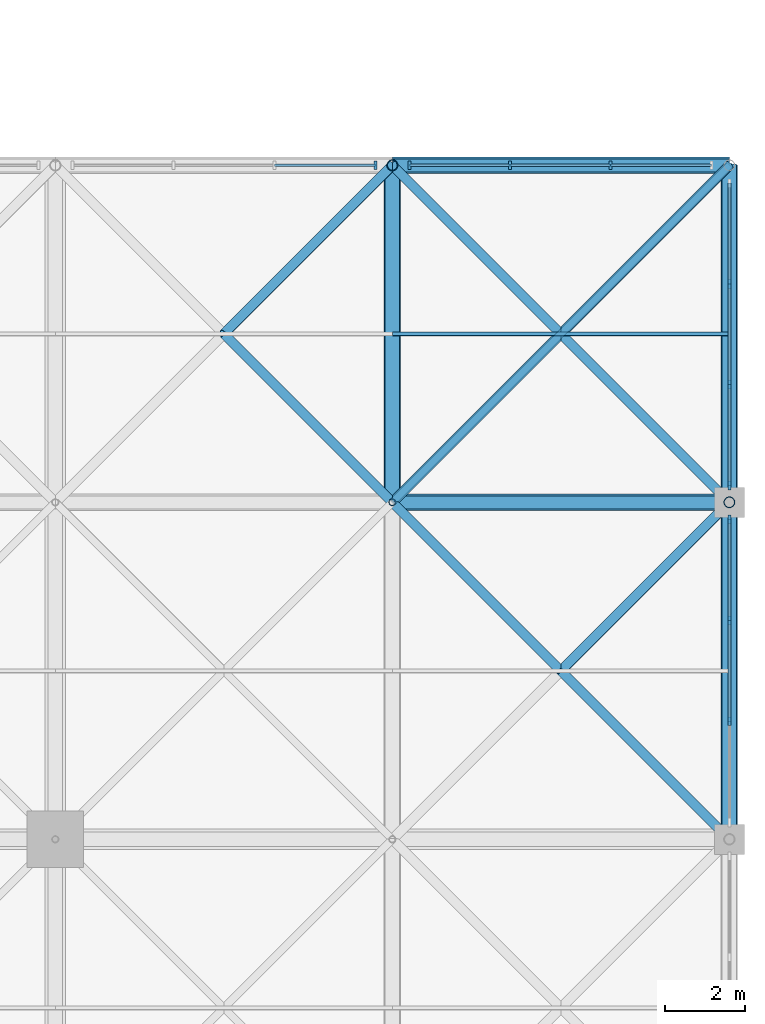
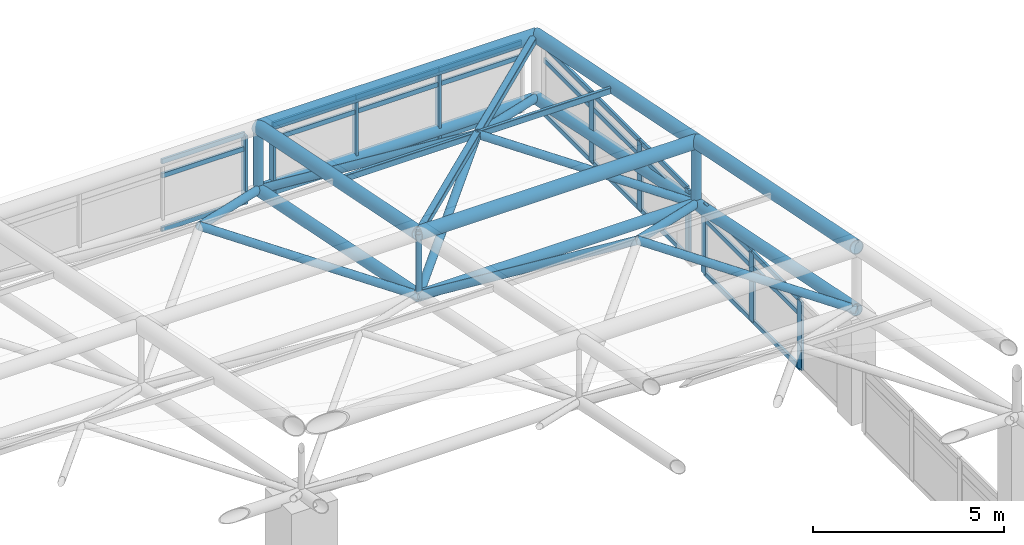
# One storey, part 67 of 110: 61 members, 4 elements without a shape of their own.
"""IFC4 building model written with IfcOpenShell, lengths in metres."""

from ifc_helpers import new_model, si_unit, direction, frame, origin, origin_2d, place, context, subcontext, project, spatial, rectangle, hollow_rectangle, hollow_circle, extrude, material, layer, layer_set, material_profile, profile_set, type_object, element, aggregate, save


model = new_model("IFC4")

# Units and contexts
model_context = context("Model", 3, precision=1e-05, world=origin(), true_north=direction((0.0, 1.0)))
body_context = subcontext(model_context, "Body", "Model", "MODEL_VIEW")
ifc_project = project(units=[si_unit("LENGTHUNIT", "METRE"), si_unit("AREAUNIT", "SQUARE_METRE"), si_unit("VOLUMEUNIT", "CUBIC_METRE"), si_unit("PLANEANGLEUNIT", "RADIAN"), si_unit("MASSUNIT", "GRAM", prefix="KILO")], contexts=[model_context])

# Site, building, storey
site_placement = place(None, origin())
site = spatial("IfcSite", under=ifc_project, at=site_placement, CompositionType="ELEMENT")
building_placement = place(site_placement, origin())
building = spatial("IfcBuilding", under=site, at=building_placement, Name="Qawsi Khor Wholesale Market", CompositionType="ELEMENT")
storey_placement = place(building_placement, frame((0.0, 0.0, 11.39990234375)))
storey = spatial("IfcBuildingStorey", under=building, at=storey_placement, Name="L02", CompositionType="ELEMENT", Elevation=11.39990234375)

# Curtain wall, members
ifc_material_1 = material(Name="Aluminium Anodised Bronze", Category="aluminium")
ifc_layer = layer(ifc_material_1, 0.199951171875, Name="Aluminium Anodised Bronze")
ifc_layer_set = layer_set([ifc_layer], Name="Aluminium Anodised Bronze")
curtain_wall_type = type_object("IfcCurtainWallType", Name="Trading Hall North-Light Curtain Wall CW-03", PredefinedType="NOTDEFINED", material=ifc_layer_set)
curtain_wall_1_placement = place(storey_placement, origin())
curtain_wall_1 = element("IfcCurtainWall", 1, at=curtain_wall_1_placement, inside=storey, type_object=curtain_wall_type, Name="Curtain wall CW-CW-03-L02-142", PredefinedType="NOTDEFINED")
ifc_material_profile_1 = material_profile(ifc_material_1, rectangle(XDim=0.074951171875, YDim=0.219970703125, at=origin_2d()), Name="ALU MULLION 75x220")
ifc_profile_set_1 = profile_set([ifc_material_profile_1], Name="Aluminium Anodised Bronze")
member_type_1 = type_object("IfcMemberType", Name="Curtain Wall Mullion CW-03 ALU MULLION 75x220", PredefinedType="MULLION", material=ifc_profile_set_1)
member_1_placement = place(storey_placement, frame((218.39990234375, 95.3408203125, -0.289794921875), z_axis=(0.0, 0.0, 1.0), x_axis=(1.0, 0.0, 0.0)))
member_1 = element("IfcMember", 2, at=member_1_placement, type_object=member_type_1, Name="Mullion CW-CW-03-L02-142-M01", PredefinedType="MULLION", context=body_context, shape_type="SweptSolid", body=[
    extrude(rectangle(XDim=0.074951171875, YDim=0.219970703125, at=origin_2d()), origin(), (0.0, 0.0, 1.0), 2.18994140625),
])
member_2_placement = place(storey_placement, frame((218.39990234375, 97.859130859375, -0.289794921875), z_axis=(0.0, 0.0, 1.0), x_axis=(1.0, 0.0, 0.0)))
member_2 = element("IfcMember", 3, at=member_2_placement, type_object=member_type_1, Name="Mullion CW-CW-03-L02-142-M02", PredefinedType="MULLION", context=body_context, shape_type="SweptSolid", body=[
    extrude(rectangle(XDim=0.074951171875, YDim=0.219970703125, at=origin_2d()), origin(), (0.0, 0.0, 1.0), 2.18994140625),
])
member_3_placement = place(storey_placement, frame((218.39990234375, 100.37744140625, -0.289794921875), z_axis=(0.0, 0.0, 1.0), x_axis=(1.0, 0.0, 0.0)))
member_3 = element("IfcMember", 4, at=member_3_placement, type_object=member_type_1, Name="Mullion CW-CW-03-L02-142-M03", PredefinedType="MULLION", context=body_context, shape_type="SweptSolid", body=[
    extrude(rectangle(XDim=0.074951171875, YDim=0.219970703125, at=origin_2d()), origin(), (0.0, 0.0, 1.0), 2.18994140625),
])

curtain_wall_2_placement = place(storey_placement, origin())
curtain_wall_2 = element("IfcCurtainWall", 5, at=curtain_wall_2_placement, inside=storey, type_object=curtain_wall_type, Name="Curtain wall CW-CW-03-L02-144", PredefinedType="NOTDEFINED")
member_4_placement = place(storey_placement, frame((218.39990234375, 101.222412109375, -0.289794921875), z_axis=(0.0, 0.0, 1.0), x_axis=(1.0, 0.0, 0.0)))
member_4 = element("IfcMember", 6, at=member_4_placement, type_object=member_type_1, Name="Mullion CW-CW-03-L02-144-M00", PredefinedType="MULLION", context=body_context, shape_type="SweptSolid", body=[
    extrude(rectangle(XDim=0.074951171875, YDim=0.219970703125, at=origin_2d()), origin(), (0.0, 0.0, 1.0), 2.18994140625),
])
member_5_placement = place(storey_placement, frame((218.39990234375, 103.732421875, -0.289794921875), z_axis=(0.0, 0.0, 1.0), x_axis=(1.0, 0.0, 0.0)))
member_5 = element("IfcMember", 7, at=member_5_placement, type_object=member_type_1, Name="Mullion CW-CW-03-L02-144-M01", PredefinedType="MULLION", context=body_context, shape_type="SweptSolid", body=[
    extrude(rectangle(XDim=0.074951171875, YDim=0.219970703125, at=origin_2d()), origin(), (0.0, 0.0, 1.0), 2.18994140625),
])
member_6_placement = place(storey_placement, frame((218.39990234375, 106.242431640625, -0.289794921875), z_axis=(0.0, 0.0, 1.0), x_axis=(1.0, 0.0, 0.0)))
member_6 = element("IfcMember", 8, at=member_6_placement, type_object=member_type_1, Name="Mullion CW-CW-03-L02-144-M02", PredefinedType="MULLION", context=body_context, shape_type="SweptSolid", body=[
    extrude(rectangle(XDim=0.074951171875, YDim=0.219970703125, at=origin_2d()), origin(), (0.0, 0.0, 1.0), 2.18994140625),
])

# Curtain wall, member
curtain_wall_3_placement = place(storey_placement, origin())
curtain_wall_3 = element("IfcCurtainWall", 9, at=curtain_wall_3_placement, inside=storey, type_object=curtain_wall_type, Name="Curtain wall CW-CW-03-L02-152", PredefinedType="NOTDEFINED")
member_7_placement = place(storey_placement, frame((209.577392578125, 109.199951171875, -0.289794921875), z_axis=(0.0, 0.0, 1.0), x_axis=(1.0, 0.0, 0.0)))
member_7 = element("IfcMember", 10, at=member_7_placement, type_object=member_type_1, Name="Mullion CW-CW-03-L02-152-M03", PredefinedType="MULLION", context=body_context, shape_type="SweptSolid", body=[
    extrude(rectangle(XDim=0.074951171875, YDim=0.219970703125, at=origin_2d()), origin(), (0.0, 0.0, 1.0), 2.18994140625),
])

# Curtain wall, members
curtain_wall_4_placement = place(storey_placement, origin())
curtain_wall_4 = element("IfcCurtainWall", 11, at=curtain_wall_4_placement, inside=storey, type_object=curtain_wall_type, Name="Curtain wall CW-CW-03-L02-153", PredefinedType="NOTDEFINED")
member_8_placement = place(storey_placement, frame((210.422607421875, 109.199951171875, -0.289794921875), z_axis=(0.0, 0.0, 1.0), x_axis=(1.0, 0.0, 0.0)))
member_8 = element("IfcMember", 12, at=member_8_placement, type_object=member_type_1, Name="Mullion CW-CW-03-L02-153-M00", PredefinedType="MULLION", context=body_context, shape_type="SweptSolid", body=[
    extrude(rectangle(XDim=0.074951171875, YDim=0.219970703125, at=origin_2d()), origin(), (0.0, 0.0, 1.0), 2.18994140625),
])
member_9_placement = place(storey_placement, frame((212.9326171875, 109.199951171875, -0.289794921875), z_axis=(0.0, 0.0, 1.0), x_axis=(1.0, 0.0, 0.0)))
member_9 = element("IfcMember", 13, at=member_9_placement, type_object=member_type_1, Name="Mullion CW-CW-03-L02-153-M01", PredefinedType="MULLION", context=body_context, shape_type="SweptSolid", body=[
    extrude(rectangle(XDim=0.074951171875, YDim=0.219970703125, at=origin_2d()), origin(), (0.0, 0.0, 1.0), 2.18994140625),
])
member_10_placement = place(storey_placement, frame((215.4423828125, 109.199951171875, -0.289794921875), z_axis=(0.0, 0.0, 1.0), x_axis=(1.0, 0.0, 0.0)))
member_10 = element("IfcMember", 14, at=member_10_placement, type_object=member_type_1, Name="Mullion CW-CW-03-L02-153-M02", PredefinedType="MULLION", context=body_context, shape_type="SweptSolid", body=[
    extrude(rectangle(XDim=0.074951171875, YDim=0.219970703125, at=origin_2d()), origin(), (0.0, 0.0, 1.0), 2.18994140625),
])

# Member
ifc_material_profile_2 = material_profile(ifc_material_1, rectangle(XDim=0.070068359375, YDim=0.14990234375, at=origin_2d()), Name="ALU TRANSOM 70x150")
ifc_profile_set_2 = profile_set([ifc_material_profile_2], Name="Aluminium Anodised Bronze")
member_type_2 = type_object("IfcMemberType", Name="Curtain Wall Transom CW-03 ALU TRANSOM 70x150", PredefinedType="USERDEFINED", material=ifc_profile_set_2)
member_11_placement = place(storey_placement, frame((218.39990234375, 95.3408203125, -0.27001953125), z_axis=(0.0, 1.0, 0.0), x_axis=(-1.0, 0.0, 0.0)))
member_11 = element("IfcMember", 15, at=member_11_placement, type_object=member_type_2, Name="Transom CW-CW-03-L02-142-T0_01", ObjectType="TRANSOM", PredefinedType="USERDEFINED", context=body_context, shape_type="SweptSolid", body=[
    extrude(rectangle(XDim=0.070068359375, YDim=0.14990234375, at=origin_2d()), origin(), (0.0, 0.0, 1.0), 2.518310546875),
])

member_12_placement = place(storey_placement, frame((218.39990234375, 97.859130859375, -0.27001953125), z_axis=(0.0, 1.0, 0.0), x_axis=(-1.0, 0.0, 0.0)))
member_12 = element("IfcMember", 16, at=member_12_placement, type_object=member_type_2, Name="Transom CW-CW-03-L02-142-T0_02", ObjectType="TRANSOM", PredefinedType="USERDEFINED", context=body_context, shape_type="SweptSolid", body=[
    extrude(rectangle(XDim=0.070068359375, YDim=0.14990234375, at=origin_2d()), origin(), (0.0, 0.0, 1.0), 2.518310546875),
])

member_13_placement = place(storey_placement, frame((218.39990234375, 95.3408203125, 1.4501953125), z_axis=(0.0, 1.0, 0.0), x_axis=(-1.0, 0.0, 0.0)))
member_13 = element("IfcMember", 17, at=member_13_placement, type_object=member_type_2, Name="Transom CW-CW-03-L02-142-T1_01", ObjectType="TRANSOM", PredefinedType="USERDEFINED", context=body_context, shape_type="SweptSolid", body=[
    extrude(rectangle(XDim=0.070068359375, YDim=0.14990234375, at=origin_2d()), origin(), (0.0, 0.0, 1.0), 2.518310546875),
])

member_14_placement = place(storey_placement, frame((218.39990234375, 97.859130859375, 1.4501953125), z_axis=(0.0, 1.0, 0.0), x_axis=(-1.0, 0.0, 0.0)))
member_14 = element("IfcMember", 18, at=member_14_placement, type_object=member_type_2, Name="Transom CW-CW-03-L02-142-T1_02", ObjectType="TRANSOM", PredefinedType="USERDEFINED", context=body_context, shape_type="SweptSolid", body=[
    extrude(rectangle(XDim=0.070068359375, YDim=0.14990234375, at=origin_2d()), origin(), (0.0, 0.0, 1.0), 2.518310546875),
])

member_15_placement = place(storey_placement, frame((218.39990234375, 95.3408203125, 1.900146484375), z_axis=(0.0, 1.0, 0.0), x_axis=(-1.0, 0.0, 0.0)))
member_15 = element("IfcMember", 19, at=member_15_placement, type_object=member_type_2, Name="Transom CW-CW-03-L02-142-T2_01", ObjectType="TRANSOM", PredefinedType="USERDEFINED", context=body_context, shape_type="SweptSolid", body=[
    extrude(rectangle(XDim=0.070068359375, YDim=0.14990234375, at=origin_2d()), origin(), (0.0, 0.0, 1.0), 2.518310546875),
])

member_16_placement = place(storey_placement, frame((218.39990234375, 97.859130859375, 1.900146484375), z_axis=(0.0, 1.0, 0.0), x_axis=(-1.0, 0.0, 0.0)))
member_16 = element("IfcMember", 20, at=member_16_placement, type_object=member_type_2, Name="Transom CW-CW-03-L02-142-T2_02", ObjectType="TRANSOM", PredefinedType="USERDEFINED", context=body_context, shape_type="SweptSolid", body=[
    extrude(rectangle(XDim=0.070068359375, YDim=0.14990234375, at=origin_2d()), origin(), (0.0, 0.0, 1.0), 2.518310546875),
])

aggregate(curtain_wall_1, [member_1, member_2, member_3, member_11, member_12, member_13, member_14, member_15, member_16])

member_17_placement = place(storey_placement, frame((218.39990234375, 101.222412109375, -0.27001953125), z_axis=(0.0, 1.0, 0.0), x_axis=(-1.0, 0.0, 0.0)))
member_17 = element("IfcMember", 21, at=member_17_placement, type_object=member_type_2, Name="Transom CW-CW-03-L02-144-T0_00", ObjectType="TRANSOM", PredefinedType="USERDEFINED", context=body_context, shape_type="SweptSolid", body=[
    extrude(rectangle(XDim=0.070068359375, YDim=0.14990234375, at=origin_2d()), origin(), (0.0, 0.0, 1.0), 2.510009765625),
])

member_18_placement = place(storey_placement, frame((218.39990234375, 103.732421875, -0.27001953125), z_axis=(0.0, 1.0, 0.0), x_axis=(-1.0, 0.0, 0.0)))
member_18 = element("IfcMember", 22, at=member_18_placement, type_object=member_type_2, Name="Transom CW-CW-03-L02-144-T0_01", ObjectType="TRANSOM", PredefinedType="USERDEFINED", context=body_context, shape_type="SweptSolid", body=[
    extrude(rectangle(XDim=0.070068359375, YDim=0.14990234375, at=origin_2d()), origin(), (0.0, 0.0, 1.0), 2.510009765625),
])

member_19_placement = place(storey_placement, frame((218.39990234375, 106.242431640625, -0.27001953125), z_axis=(0.0, 1.0, 0.0), x_axis=(-1.0, 0.0, 0.0)))
member_19 = element("IfcMember", 23, at=member_19_placement, type_object=member_type_2, Name="Transom CW-CW-03-L02-144-T0_02", ObjectType="TRANSOM", PredefinedType="USERDEFINED", context=body_context, shape_type="SweptSolid", body=[
    extrude(rectangle(XDim=0.070068359375, YDim=0.14990234375, at=origin_2d()), origin(), (0.0, 0.0, 1.0), 2.510009765625),
])

member_20_placement = place(storey_placement, frame((218.39990234375, 101.222412109375, 1.4501953125), z_axis=(0.0, 1.0, 0.0), x_axis=(-1.0, 0.0, 0.0)))
member_20 = element("IfcMember", 24, at=member_20_placement, type_object=member_type_2, Name="Transom CW-CW-03-L02-144-T1_00", ObjectType="TRANSOM", PredefinedType="USERDEFINED", context=body_context, shape_type="SweptSolid", body=[
    extrude(rectangle(XDim=0.070068359375, YDim=0.14990234375, at=origin_2d()), origin(), (0.0, 0.0, 1.0), 2.510009765625),
])

member_21_placement = place(storey_placement, frame((218.39990234375, 103.732421875, 1.4501953125), z_axis=(0.0, 1.0, 0.0), x_axis=(-1.0, 0.0, 0.0)))
member_21 = element("IfcMember", 25, at=member_21_placement, type_object=member_type_2, Name="Transom CW-CW-03-L02-144-T1_01", ObjectType="TRANSOM", PredefinedType="USERDEFINED", context=body_context, shape_type="SweptSolid", body=[
    extrude(rectangle(XDim=0.070068359375, YDim=0.14990234375, at=origin_2d()), origin(), (0.0, 0.0, 1.0), 2.510009765625),
])

member_22_placement = place(storey_placement, frame((218.39990234375, 106.242431640625, 1.4501953125), z_axis=(0.0, 1.0, 0.0), x_axis=(-1.0, 0.0, 0.0)))
member_22 = element("IfcMember", 26, at=member_22_placement, type_object=member_type_2, Name="Transom CW-CW-03-L02-144-T1_02", ObjectType="TRANSOM", PredefinedType="USERDEFINED", context=body_context, shape_type="SweptSolid", body=[
    extrude(rectangle(XDim=0.070068359375, YDim=0.14990234375, at=origin_2d()), origin(), (0.0, 0.0, 1.0), 2.510009765625),
])

member_23_placement = place(storey_placement, frame((218.39990234375, 101.222412109375, 1.900146484375), z_axis=(0.0, 1.0, 0.0), x_axis=(-1.0, 0.0, 0.0)))
member_23 = element("IfcMember", 27, at=member_23_placement, type_object=member_type_2, Name="Transom CW-CW-03-L02-144-T2_00", ObjectType="TRANSOM", PredefinedType="USERDEFINED", context=body_context, shape_type="SweptSolid", body=[
    extrude(rectangle(XDim=0.070068359375, YDim=0.14990234375, at=origin_2d()), origin(), (0.0, 0.0, 1.0), 2.510009765625),
])

member_24_placement = place(storey_placement, frame((218.39990234375, 103.732421875, 1.900146484375), z_axis=(0.0, 1.0, 0.0), x_axis=(-1.0, 0.0, 0.0)))
member_24 = element("IfcMember", 28, at=member_24_placement, type_object=member_type_2, Name="Transom CW-CW-03-L02-144-T2_01", ObjectType="TRANSOM", PredefinedType="USERDEFINED", context=body_context, shape_type="SweptSolid", body=[
    extrude(rectangle(XDim=0.070068359375, YDim=0.14990234375, at=origin_2d()), origin(), (0.0, 0.0, 1.0), 2.510009765625),
])

member_25_placement = place(storey_placement, frame((218.39990234375, 106.242431640625, 1.900146484375), z_axis=(0.0, 1.0, 0.0), x_axis=(-1.0, 0.0, 0.0)))
member_25 = element("IfcMember", 29, at=member_25_placement, type_object=member_type_2, Name="Transom CW-CW-03-L02-144-T2_02", ObjectType="TRANSOM", PredefinedType="USERDEFINED", context=body_context, shape_type="SweptSolid", body=[
    extrude(rectangle(XDim=0.070068359375, YDim=0.14990234375, at=origin_2d()), origin(), (0.0, 0.0, 1.0), 2.510009765625),
])

aggregate(curtain_wall_2, [member_4, member_5, member_6, member_17, member_18, member_19, member_20, member_21, member_22, member_23, member_24, member_25])

member_26_placement = place(storey_placement, frame((207.05908203125, 109.199951171875, -0.27001953125), z_axis=(1.0, 0.0, 0.0), x_axis=(0.0, 1.0, 0.0)))
member_26 = element("IfcMember", 30, at=member_26_placement, type_object=member_type_2, Name="Transom CW-CW-03-L02-152-T0_02", ObjectType="TRANSOM", PredefinedType="USERDEFINED", context=body_context, shape_type="SweptSolid", body=[
    extrude(rectangle(XDim=0.070068359375, YDim=0.14990234375, at=origin_2d()), origin(), (0.0, 0.0, 1.0), 2.518310546875),
])

member_27_placement = place(storey_placement, frame((207.05908203125, 109.199951171875, 1.4501953125), z_axis=(1.0, 0.0, 0.0), x_axis=(0.0, 1.0, 0.0)))
member_27 = element("IfcMember", 31, at=member_27_placement, type_object=member_type_2, Name="Transom CW-CW-03-L02-152-T1_02", ObjectType="TRANSOM", PredefinedType="USERDEFINED", context=body_context, shape_type="SweptSolid", body=[
    extrude(rectangle(XDim=0.070068359375, YDim=0.14990234375, at=origin_2d()), origin(), (0.0, 0.0, 1.0), 2.518310546875),
])

member_28_placement = place(storey_placement, frame((207.05908203125, 109.199951171875, 1.900146484375), z_axis=(1.0, 0.0, 0.0), x_axis=(0.0, 1.0, 0.0)))
member_28 = element("IfcMember", 32, at=member_28_placement, type_object=member_type_2, Name="Transom CW-CW-03-L02-152-T2_02", ObjectType="TRANSOM", PredefinedType="USERDEFINED", context=body_context, shape_type="SweptSolid", body=[
    extrude(rectangle(XDim=0.070068359375, YDim=0.14990234375, at=origin_2d()), origin(), (0.0, 0.0, 1.0), 2.518310546875),
])

aggregate(curtain_wall_3, [member_7, member_26, member_27, member_28])

member_29_placement = place(storey_placement, frame((210.422607421875, 109.199951171875, -0.27001953125), z_axis=(1.0, 0.0, 0.0), x_axis=(0.0, 1.0, 0.0)))
member_29 = element("IfcMember", 33, at=member_29_placement, type_object=member_type_2, Name="Transom CW-CW-03-L02-153-T0_00", ObjectType="TRANSOM", PredefinedType="USERDEFINED", context=body_context, shape_type="SweptSolid", body=[
    extrude(rectangle(XDim=0.070068359375, YDim=0.14990234375, at=origin_2d()), origin(), (0.0, 0.0, 1.0), 2.510009765625),
])

member_30_placement = place(storey_placement, frame((212.9326171875, 109.199951171875, -0.27001953125), z_axis=(1.0, 0.0, 0.0), x_axis=(0.0, 1.0, 0.0)))
member_30 = element("IfcMember", 34, at=member_30_placement, type_object=member_type_2, Name="Transom CW-CW-03-L02-153-T0_01", ObjectType="TRANSOM", PredefinedType="USERDEFINED", context=body_context, shape_type="SweptSolid", body=[
    extrude(rectangle(XDim=0.070068359375, YDim=0.14990234375, at=origin_2d()), origin(), (0.0, 0.0, 1.0), 2.509765625),
])

member_31_placement = place(storey_placement, frame((215.4423828125, 109.199951171875, -0.27001953125), z_axis=(1.0, 0.0, 0.0), x_axis=(0.0, 1.0, 0.0)))
member_31 = element("IfcMember", 35, at=member_31_placement, type_object=member_type_2, Name="Transom CW-CW-03-L02-153-T0_02", ObjectType="TRANSOM", PredefinedType="USERDEFINED", context=body_context, shape_type="SweptSolid", body=[
    extrude(rectangle(XDim=0.070068359375, YDim=0.14990234375, at=origin_2d()), origin(), (0.0, 0.0, 1.0), 2.510009765625),
])

member_32_placement = place(storey_placement, frame((210.422607421875, 109.199951171875, 1.4501953125), z_axis=(1.0, 0.0, 0.0), x_axis=(0.0, 1.0, 0.0)))
member_32 = element("IfcMember", 36, at=member_32_placement, type_object=member_type_2, Name="Transom CW-CW-03-L02-153-T1_00", ObjectType="TRANSOM", PredefinedType="USERDEFINED", context=body_context, shape_type="SweptSolid", body=[
    extrude(rectangle(XDim=0.070068359375, YDim=0.14990234375, at=origin_2d()), origin(), (0.0, 0.0, 1.0), 2.510009765625),
])

member_33_placement = place(storey_placement, frame((212.9326171875, 109.199951171875, 1.4501953125), z_axis=(1.0, 0.0, 0.0), x_axis=(0.0, 1.0, 0.0)))
member_33 = element("IfcMember", 37, at=member_33_placement, type_object=member_type_2, Name="Transom CW-CW-03-L02-153-T1_01", ObjectType="TRANSOM", PredefinedType="USERDEFINED", context=body_context, shape_type="SweptSolid", body=[
    extrude(rectangle(XDim=0.070068359375, YDim=0.14990234375, at=origin_2d()), origin(), (0.0, 0.0, 1.0), 2.509765625),
])

member_34_placement = place(storey_placement, frame((215.4423828125, 109.199951171875, 1.4501953125), z_axis=(1.0, 0.0, 0.0), x_axis=(0.0, 1.0, 0.0)))
member_34 = element("IfcMember", 38, at=member_34_placement, type_object=member_type_2, Name="Transom CW-CW-03-L02-153-T1_02", ObjectType="TRANSOM", PredefinedType="USERDEFINED", context=body_context, shape_type="SweptSolid", body=[
    extrude(rectangle(XDim=0.070068359375, YDim=0.14990234375, at=origin_2d()), origin(), (0.0, 0.0, 1.0), 2.510009765625),
])

member_35_placement = place(storey_placement, frame((210.422607421875, 109.199951171875, 1.900146484375), z_axis=(1.0, 0.0, 0.0), x_axis=(0.0, 1.0, 0.0)))
member_35 = element("IfcMember", 39, at=member_35_placement, type_object=member_type_2, Name="Transom CW-CW-03-L02-153-T2_00", ObjectType="TRANSOM", PredefinedType="USERDEFINED", context=body_context, shape_type="SweptSolid", body=[
    extrude(rectangle(XDim=0.070068359375, YDim=0.14990234375, at=origin_2d()), origin(), (0.0, 0.0, 1.0), 2.510009765625),
])

member_36_placement = place(storey_placement, frame((212.9326171875, 109.199951171875, 1.900146484375), z_axis=(1.0, 0.0, 0.0), x_axis=(0.0, 1.0, 0.0)))
member_36 = element("IfcMember", 40, at=member_36_placement, type_object=member_type_2, Name="Transom CW-CW-03-L02-153-T2_01", ObjectType="TRANSOM", PredefinedType="USERDEFINED", context=body_context, shape_type="SweptSolid", body=[
    extrude(rectangle(XDim=0.070068359375, YDim=0.14990234375, at=origin_2d()), origin(), (0.0, 0.0, 1.0), 2.509765625),
])

member_37_placement = place(storey_placement, frame((215.4423828125, 109.199951171875, 1.900146484375), z_axis=(1.0, 0.0, 0.0), x_axis=(0.0, 1.0, 0.0)))
member_37 = element("IfcMember", 41, at=member_37_placement, type_object=member_type_2, Name="Transom CW-CW-03-L02-153-T2_02", ObjectType="TRANSOM", PredefinedType="USERDEFINED", context=body_context, shape_type="SweptSolid", body=[
    extrude(rectangle(XDim=0.070068359375, YDim=0.14990234375, at=origin_2d()), origin(), (0.0, 0.0, 1.0), 2.510009765625),
])

aggregate(curtain_wall_4, [member_8, member_9, member_10, member_29, member_30, member_31, member_32, member_33, member_34, member_35, member_36, member_37])

# Members
ifc_material_2 = material(Name="Steel S355", Category="steel")
ifc_material_profile_3 = material_profile(ifc_material_2, hollow_rectangle(XDim=0.199951171875, YDim=0.199951171875, WallThickness=0.010009765625, InnerFilletRadius=0.010009765625, OuterFilletRadius=0.02001953125, at=origin_2d()), Name="SHS 200x200x10.0")
ifc_profile_set_3 = profile_set([ifc_material_profile_3], Name="Steel S355")
member_type_3 = type_object("IfcMemberType", Name="Roof Plan Brace SHS 200x200x10.0", PredefinedType="BRACE", material=ifc_profile_set_3)
member_38_placement = place(storey_placement, frame((210.0, 100.800048828125, 3.670166015625), z_axis=(0.699975935871, 0.699975935871, -0.14165937457), x_axis=(-0.707106781187, 0.707106781187, 0.0)))
element("IfcMember", 42, at=member_38_placement, inside=storey, type_object=member_type_3, Name="Space frame plan brace EH (25,12)", PredefinedType="BRACE", context=body_context, shape_type="SweptSolid", body=[
    extrude(hollow_rectangle(XDim=0.199951171875, YDim=0.199951171875, WallThickness=0.010009765625, InnerFilletRadius=0.010009765625, OuterFilletRadius=0.02001953125, at=origin_2d()), origin(), (0.0, 0.0, 1.0), 12.000244140625),
])
ifc_material_profile_4 = material_profile(ifc_material_2, hollow_circle(Radius=0.177734375, WallThickness=0.01611328125, at=origin_2d()), Name="CHS 355.6x16.0")
ifc_profile_set_4 = profile_set([ifc_material_profile_4], Name="Steel S355")
member_type_4 = type_object("IfcMemberType", Name="Space-Frame Bottom Chord CHS 355.6x16.0", PredefinedType="CHORD", material=ifc_profile_set_4)
for number, where, z_axis, x_axis, name in (
    (43, (210.0, 100.800048828125, 1.670166015625), (0.0, 0.980129990483, -0.1983562496), (-1.0, 0.0, 0.0), "Space frame bottom chord Y EH (25,12)"),
    (44, (218.39990234375, 92.39990234375, 3.3701171875), (0.0, 0.98013111127, -0.198350711418), (-1.0, 0.0, 0.0), "Space frame bottom chord Y EH (26,11)"),
    (45, (218.39990234375, 100.800048828125, 1.670166015625), (0.0, 0.980129990483, -0.1983562496), (-1.0, 0.0, 0.0), "Space frame bottom chord Y EH (26,12)"),
):
    element("IfcMember", number, at=place(storey_placement, frame(where, z_axis=z_axis, x_axis=x_axis)), inside=storey, type_object=member_type_4, Name=name, PredefinedType="CHORD", context=body_context, shape_type="SweptSolid", body=[
        extrude(hollow_circle(Radius=0.177734375, WallThickness=0.01611328125, at=origin_2d()), origin(), (0.0, 0.0, 1.0), 8.5703125),
    ])
ifc_material_profile_5 = material_profile(ifc_material_2, hollow_circle(Radius=0.136474609375, WallThickness=0.012451171875, at=origin_2d()), Name="CHS 273.0x12.5")
ifc_profile_set_5 = profile_set([ifc_material_profile_5], Name="Steel S355")
member_type_5 = type_object("IfcMemberType", Name="Space-Frame Edge Post CHS 273.0x12.5", PredefinedType="POST", material=ifc_profile_set_5)
for number, where, z_axis, x_axis, name in (
    (46, (210.0, 109.199951171875, -0.02978515625), (0.0, 0.0, 1.0), (1.0, 0.0, 0.0), "Space frame post EH (25,13)"),
    (47, (218.39990234375, 100.800048828125, 1.670166015625), (0.0, 0.0, 1.0), (1.0, 0.0, 0.0), "Space frame post EH (26,12)"),
):
    element("IfcMember", number, at=place(storey_placement, frame(where, z_axis=z_axis, x_axis=x_axis)), inside=storey, type_object=member_type_5, Name=name, PredefinedType="POST", context=body_context, shape_type="SweptSolid", body=[
        extrude(hollow_circle(Radius=0.136474609375, WallThickness=0.012451171875, at=origin_2d()), origin(), (0.0, 0.0, 1.0), 2.0),
    ])
ifc_material_profile_6 = material_profile(ifc_material_2, hollow_circle(Radius=0.122314453125, WallThickness=0.012451171875, at=origin_2d()), Name="CHS 244.5x12.5")
ifc_profile_set_6 = profile_set([ifc_material_profile_6], Name="Steel S355")
member_type_6 = type_object("IfcMemberType", Name="Space-Frame Heavy Diagonal CHS 244.5x12.5", PredefinedType="POST", material=ifc_profile_set_6)
member_39_placement = place(storey_placement, frame((210.0, 100.800048828125, 1.670166015625), z_axis=(-0.694216714393, 0.694216714393, 0.190069216113), x_axis=(-0.707106781187, -0.707106781187, 0.0)))
element("IfcMember", 48, at=member_39_placement, inside=storey, type_object=member_type_6, Name="Space frame diagonal EH (24,12)-2", PredefinedType="POST", context=body_context, shape_type="SweptSolid", body=[
    extrude(hollow_circle(Radius=0.122314453125, WallThickness=0.012451171875, at=origin_2d()), origin(), (0.0, 0.0, 1.0), 6.0498046875),
])
member_40_placement = place(storey_placement, frame((210.0, 109.199951171875, -0.02978515625), z_axis=(-0.637521961484, -0.637521961484, 0.432586982294), x_axis=(0.707106781187, -0.707106781187, 0.0)))
element("IfcMember", 49, at=member_40_placement, inside=storey, type_object=member_type_6, Name="Space frame diagonal EH (24,12)-3", PredefinedType="POST", context=body_context, shape_type="SweptSolid", body=[
    extrude(hollow_circle(Radius=0.122314453125, WallThickness=0.012451171875, at=origin_2d()), origin(), (0.0, 0.0, 1.0), 6.587890625),
])
member_41_placement = place(storey_placement, frame((218.39990234375, 92.39990234375, 3.3701171875), z_axis=(-0.694197266374, 0.694237619642, 0.19006389145), x_axis=(-0.707127332136, -0.70708622964, 0.0)))
element("IfcMember", 50, at=member_41_placement, inside=storey, type_object=member_type_6, Name="Space frame diagonal EH (25,11)-2", PredefinedType="POST", context=body_context, shape_type="SweptSolid", body=[
    extrude(hollow_circle(Radius=0.122314453125, WallThickness=0.012451171875, at=origin_2d()), origin(), (0.0, 0.0, 1.0), 6.050048828125),
])
for number, where, z_axis, x_axis, name in (
    (51, (218.39990234375, 100.800048828125, 1.670166015625), (-0.637521961484, -0.637521961484, 0.432586982294), (0.707106781187, -0.707106781187, 0.0), "Space frame diagonal EH (25,11)-3"),
    (52, (210.0, 100.800048828125, 1.670166015625), (0.637521961484, -0.637521961484, 0.432586982294), (0.707106781187, 0.707106781187, 0.0), "Space frame diagonal EH (25,11)-4"),
):
    element("IfcMember", number, at=place(storey_placement, frame(where, z_axis=z_axis, x_axis=x_axis)), inside=storey, type_object=member_type_6, Name=name, PredefinedType="POST", context=body_context, shape_type="SweptSolid", body=[
        extrude(hollow_circle(Radius=0.122314453125, WallThickness=0.012451171875, at=origin_2d()), origin(), (0.0, 0.0, 1.0), 6.587890625),
    ])
for number, where, z_axis, x_axis, name in (
    (53, (210.0, 100.800048828125, 1.670166015625), (0.694216714393, 0.694216714393, 0.190069216113), (-0.707106781187, 0.707106781187, 0.0), "Space frame diagonal EH (25,12)-1"),
    (54, (218.39990234375, 100.800048828125, 1.670166015625), (-0.694216714393, 0.694216714393, 0.190069216113), (-0.707106781187, -0.707106781187, 0.0), "Space frame diagonal EH (25,12)-2"),
):
    element("IfcMember", number, at=place(storey_placement, frame(where, z_axis=z_axis, x_axis=x_axis)), inside=storey, type_object=member_type_6, Name=name, PredefinedType="POST", context=body_context, shape_type="SweptSolid", body=[
        extrude(hollow_circle(Radius=0.122314453125, WallThickness=0.012451171875, at=origin_2d()), origin(), (0.0, 0.0, 1.0), 6.0498046875),
    ])
for number, where, z_axis, x_axis, name in (
    (55, (218.39990234375, 109.199951171875, -0.02978515625), (-0.637521961484, -0.637521961484, 0.432586982294), (0.707106781187, -0.707106781187, 0.0), "Space frame diagonal EH (25,12)-3"),
    (56, (210.0, 109.199951171875, -0.02978515625), (0.637521961484, -0.637521961484, 0.432586982294), (0.707106781187, 0.707106781187, 0.0), "Space frame diagonal EH (25,12)-4"),
):
    element("IfcMember", number, at=place(storey_placement, frame(where, z_axis=z_axis, x_axis=x_axis)), inside=storey, type_object=member_type_6, Name=name, PredefinedType="POST", context=body_context, shape_type="SweptSolid", body=[
        extrude(hollow_circle(Radius=0.122314453125, WallThickness=0.012451171875, at=origin_2d()), origin(), (0.0, 0.0, 1.0), 6.587890625),
    ])
ifc_material_profile_7 = material_profile(ifc_material_2, hollow_rectangle(XDim=0.10009765625, YDim=0.199951171875, WallThickness=0.008056640625, InnerFilletRadius=0.008056640625, OuterFilletRadius=0.01611328125, at=origin_2d()), Name="RHS 200x100x8.0")
ifc_profile_set_7 = profile_set([ifc_material_profile_7], Name="Steel S355")
member_type_7 = type_object("IfcMemberType", Name="Space-Frame Purlin RHS 200x100x8.0", PredefinedType="PURLIN", material=ifc_profile_set_7)
member_42_placement = place(storey_placement, frame((210.0, 105.0, 2.820068359375), z_axis=(1.0, 0.0, 0.0), x_axis=(0.0, 1.0, 0.0)))
element("IfcMember", 57, at=member_42_placement, inside=storey, type_object=member_type_7, Name="Space frame purlin EH (25,12)", PredefinedType="PURLIN", context=body_context, shape_type="SweptSolid", body=[
    extrude(hollow_rectangle(XDim=0.10009765625, YDim=0.199951171875, WallThickness=0.008056640625, InnerFilletRadius=0.008056640625, OuterFilletRadius=0.01611328125, at=origin_2d()), origin(), (0.0, 0.0, 1.0), 8.39990234375),
])
ifc_material_profile_8 = material_profile(ifc_material_2, hollow_circle(Radius=0.161865234375, WallThickness=0.01611328125, at=origin_2d()), Name="CHS 323.9x16.0")
ifc_profile_set_8 = profile_set([ifc_material_profile_8], Name="Steel S355")
member_type_8 = type_object("IfcMemberType", Name="Space-Frame Secondary Chord CHS 323.9x16.0", PredefinedType="CHORD", material=ifc_profile_set_8)
for number, where, z_axis, x_axis, name in (
    (58, (210.0, 100.800048828125, 1.670166015625), (1.0, 0.0, 0.0), (0.0, 1.0, 0.0), "Space frame bottom chord X EH (25,12)"),
    (59, (210.0, 109.199951171875, -0.02978515625), (1.0, 0.0, 0.0), (0.0, 1.0, 0.0), "Space frame bottom chord X EH (25,13)"),
):
    element("IfcMember", number, at=place(storey_placement, frame(where, z_axis=z_axis, x_axis=x_axis)), inside=storey, type_object=member_type_8, Name=name, PredefinedType="CHORD", context=body_context, shape_type="SweptSolid", body=[
        extrude(hollow_circle(Radius=0.161865234375, WallThickness=0.01611328125, at=origin_2d()), origin(), (0.0, 0.0, 1.0), 8.39990234375),
    ])
ifc_material_profile_9 = material_profile(ifc_material_2, hollow_circle(Radius=0.203125, WallThickness=0.02001953125, at=origin_2d()), Name="CHS 406.4x20.0")
ifc_profile_set_9 = profile_set([ifc_material_profile_9], Name="Steel S355")
member_type_9 = type_object("IfcMemberType", Name="Space-Frame Top Chord CHS 406.4x20.0", PredefinedType="CHORD", material=ifc_profile_set_9)
member_43_placement = place(storey_placement, frame((210.0, 100.800048828125, 3.670166015625), z_axis=(1.0, 0.0, 0.0), x_axis=(0.0, 1.0, 0.0)))
element("IfcMember", 60, at=member_43_placement, inside=storey, type_object=member_type_9, Name="Space frame top chord X EH (25,12)", PredefinedType="CHORD", context=body_context, shape_type="SweptSolid", body=[
    extrude(hollow_circle(Radius=0.203125, WallThickness=0.02001953125, at=origin_2d()), origin(), (0.0, 0.0, 1.0), 8.39990234375),
])
member_44_placement = place(storey_placement, frame((210.0, 100.800048828125, 3.670166015625), z_axis=(0.0, 0.980129990483, -0.1983562496), x_axis=(-1.0, 0.0, 0.0)))
element("IfcMember", 61, at=member_44_placement, inside=storey, type_object=member_type_9, Name="Space frame top chord Y EH (25,12)", PredefinedType="CHORD", context=body_context, shape_type="SweptSolid", body=[
    extrude(hollow_circle(Radius=0.203125, WallThickness=0.02001953125, at=origin_2d()), origin(), (0.0, 0.0, 1.0), 8.5703125),
])
member_45_placement = place(storey_placement, frame((210.0, 109.199951171875, 1.97021484375), z_axis=(1.0, 0.0, 0.0), x_axis=(0.0, 1.0, 0.0)))
element("IfcMember", 62, at=member_45_placement, inside=storey, type_object=member_type_9, Name="Space frame top chord X EH (25,13)", PredefinedType="CHORD", context=body_context, shape_type="SweptSolid", body=[
    extrude(hollow_circle(Radius=0.203125, WallThickness=0.02001953125, at=origin_2d()), origin(), (0.0, 0.0, 1.0), 8.39990234375),
])
for number, where, z_axis, x_axis, name in (
    (63, (218.39990234375, 92.39990234375, 5.3701171875), (0.0, 0.98013111127, -0.198350711418), (-1.0, 0.0, 0.0), "Space frame top chord Y EH (26,11)"),
    (64, (218.39990234375, 100.800048828125, 3.670166015625), (0.0, 0.980129990483, -0.1983562496), (-1.0, 0.0, 0.0), "Space frame top chord Y EH (26,12)"),
):
    element("IfcMember", number, at=place(storey_placement, frame(where, z_axis=z_axis, x_axis=x_axis)), inside=storey, type_object=member_type_9, Name=name, PredefinedType="CHORD", context=body_context, shape_type="SweptSolid", body=[
        extrude(hollow_circle(Radius=0.203125, WallThickness=0.02001953125, at=origin_2d()), origin(), (0.0, 0.0, 1.0), 8.5703125),
    ])
ifc_material_profile_10 = material_profile(ifc_material_2, hollow_circle(Radius=0.084228515625, WallThickness=0.008056640625, at=origin_2d()), Name="CHS 168.3x8.0")
ifc_profile_set_10 = profile_set([ifc_material_profile_10], Name="Steel S355")
member_type_10 = type_object("IfcMemberType", Name="Space-Frame Vertical Strut CHS 168.3x8.0", PredefinedType="STRUT", material=ifc_profile_set_10)
member_46_placement = place(storey_placement, frame((210.0, 100.800048828125, 1.670166015625), z_axis=(0.0, 0.0, 1.0), x_axis=(1.0, 0.0, 0.0)))
element("IfcMember", 65, at=member_46_placement, inside=storey, type_object=member_type_10, Name="Space frame post EH (25,12)", PredefinedType="STRUT", context=body_context, shape_type="SweptSolid", body=[
    extrude(hollow_circle(Radius=0.084228515625, WallThickness=0.008056640625, at=origin_2d()), origin(), (0.0, 0.0, 1.0), 2.0),
])

save(model, "model.ifc")
